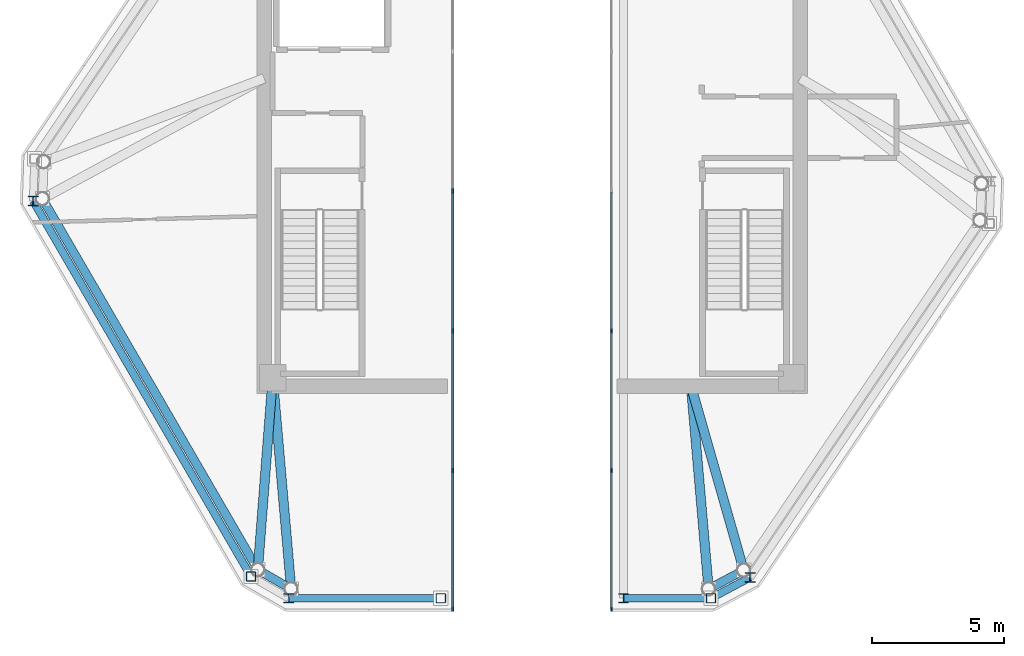
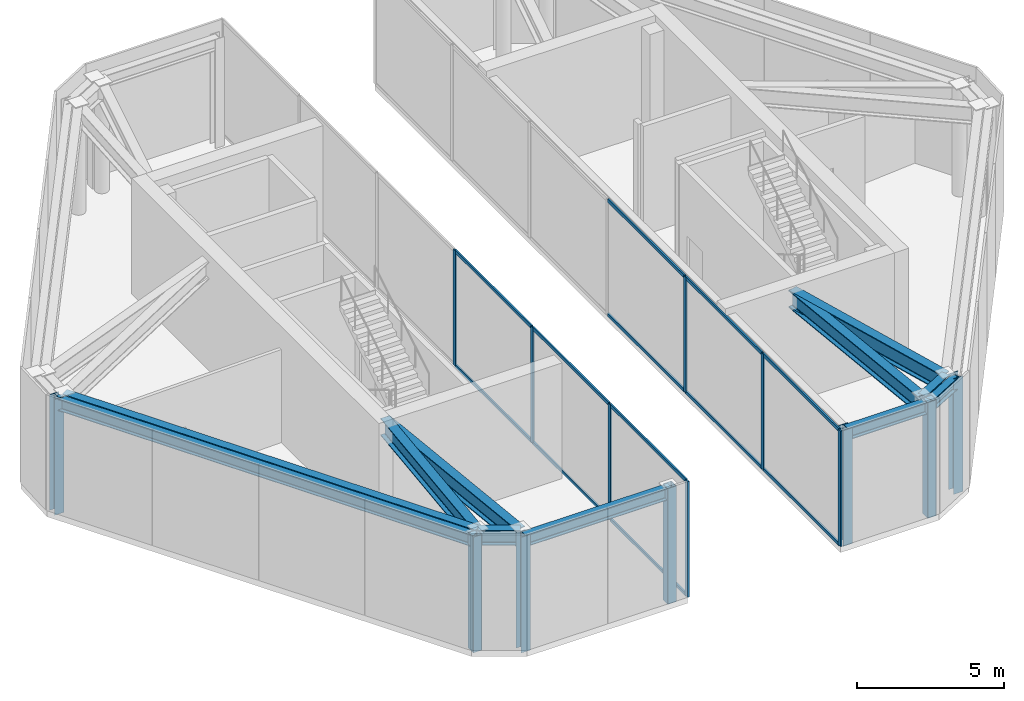
# One storey, part 2 of 8: 26 members, 11 beams, 2 elements without a shape of their own.
"""IFC4 building model written with IfcOpenShell, lengths in metres."""

from ifc_helpers import new_model, si_unit, direction, frame, origin, origin_2d, place, context, subcontext, project, spatial, rectangle, hollow_rectangle, i_section, extrude, source, transform, mapped, material, layer, layer_set, material_profile, profile_set, type_object, type_shapes, element, aggregate, save


model = new_model("IFC4")

# Units and contexts
model_context = context("Model", 3, precision=1e-05, world=origin(), true_north=direction((0.0, 1.0)))
body_context = subcontext(model_context, "Body", "Model", "MODEL_VIEW")
ifc_project = project(units=[si_unit("LENGTHUNIT", "METRE"), si_unit("AREAUNIT", "SQUARE_METRE"), si_unit("VOLUMEUNIT", "CUBIC_METRE"), si_unit("PLANEANGLEUNIT", "RADIAN"), si_unit("MASSUNIT", "GRAM", prefix="KILO")], contexts=[model_context])

# Site, building, storey
site_placement = place(None, origin())
site = spatial("IfcSite", under=ifc_project, at=site_placement, CompositionType="ELEMENT")
building_placement = place(site_placement, origin())
building = spatial("IfcBuilding", under=site, at=building_placement, Name="Durnholm Broadcast Tower", CompositionType="ELEMENT")
storey_placement = place(building_placement, frame((0.0, 0.0, 277.300048828125)))
storey = spatial("IfcBuildingStorey", under=building, at=storey_placement, Name="L77", CompositionType="ELEMENT", Elevation=277.300048828125)

# Beams
ifc_material_1 = material(Name="Steel ASTM A992 Grade 50", Category="steel")
ifc_material_profile_1 = material_profile(ifc_material_1, i_section(OverallWidth=0.3251953125, OverallDepth=0.6162109375, WebThickness=0.013916015625, FlangeThickness=0.021484375, FilletRadius=0.02783203125, at=origin_2d()), Name="W24X117")
ifc_profile_set_1 = profile_set([ifc_material_profile_1], Name="Steel ASTM A992 Grade 50")
beam_type_1 = type_object("IfcBeamType", Name="STL-SP-W24X117", PredefinedType="SPANDREL", material=ifc_profile_set_1)
shared_shape_1 = source(origin(), body_context, "Body", "SweptSolid", [
    extrude(i_section(OverallWidth=0.3251953125, OverallDepth=0.6162109375, WebThickness=0.013916015625, FlangeThickness=0.021484375, FilletRadius=0.02783203125, at=origin_2d()), origin(), (0.0, 0.0, 1.0), 16.202880859375),
])
beam_1_placement = place(storey_placement, frame((-10.361328125, -15.061767578125, 4.19677734375), z_axis=(-0.501948303381, 0.864897624423, 0.0), x_axis=(-0.864897624423, -0.501948303381, 0.0)))
element("IfcBeam", 1, at=beam_1_placement, inside=storey, type_object=beam_type_1, Name="L77 perimeter spandrel girder 01", PredefinedType="SPANDREL", context=body_context, shape_type="MappedRepresentation", body=[
    mapped(shared_shape_1, transform((0.0, 0.0, 0.0), x_axis=(1.0, 0.0, 0.0), y_axis=(0.0, 1.0, 0.0), z_axis=(0.0, 0.0, 1.0), scale=1.0)),
])
shared_shape_2 = source(origin(), body_context, "Body", "SweptSolid", [
    extrude(i_section(OverallWidth=0.3251953125, OverallDepth=0.6162109375, WebThickness=0.013916015625, FlangeThickness=0.021484375, FilletRadius=0.02783203125, at=origin_2d()), origin(), (0.0, 0.0, 1.0), 1.502685546875),
])
beam_2_placement = place(storey_placement, frame((7.990966796875, -15.081298828125, 4.19677734375), z_axis=(-0.883241909673, -0.468917614296, 0.0), x_axis=(0.468917614296, -0.883241909673, 0.0)))
element("IfcBeam", 2, at=beam_2_placement, inside=storey, type_object=beam_type_1, Name="L77 perimeter spandrel girder 10", PredefinedType="SPANDREL", context=body_context, shape_type="MappedRepresentation", body=[
    mapped(shared_shape_2, transform((0.0, 0.0, 0.0), x_axis=(1.0, 0.0, 0.0), y_axis=(0.0, 1.0, 0.0), z_axis=(0.0, 0.0, 1.0), scale=1.0)),
])
shared_shape_3 = source(origin(), body_context, "Body", "SweptSolid", [
    extrude(i_section(OverallWidth=0.3251953125, OverallDepth=0.6162109375, WebThickness=0.013916015625, FlangeThickness=0.021484375, FilletRadius=0.02783203125, at=origin_2d()), origin(), (0.0, 0.0, 1.0), 1.451171875),
])
type_shapes(beam_type_1, [shared_shape_1, shared_shape_2, shared_shape_3])
beam_3_placement = place(storey_placement, frame((-9.103759765625, -15.785888671875, 4.19677734375), z_axis=(-0.866602615509, 0.498998904601, 0.0), x_axis=(-0.498998904601, -0.866602615509, 0.0)))
element("IfcBeam", 3, at=beam_3_placement, inside=storey, type_object=beam_type_1, Name="L77 perimeter spandrel girder 12", PredefinedType="SPANDREL", context=body_context, shape_type="MappedRepresentation", body=[
    mapped(shared_shape_3, transform((0.0, 0.0, 0.0), x_axis=(1.0, 0.0, 0.0), y_axis=(0.0, 1.0, 0.0), z_axis=(0.0, 0.0, 1.0), scale=1.0)),
])
ifc_material_profile_2 = material_profile(ifc_material_1, i_section(OverallWidth=0.3564453125, OverallDepth=0.713623046875, WebThickness=0.01904296875, FlangeThickness=0.033935546875, FilletRadius=0.030517578125, at=origin_2d()), Name="W27X194")
ifc_profile_set_2 = profile_set([ifc_material_profile_2], Name="Steel ASTM A992 Grade 50")
beam_type_2 = type_object("IfcBeamType", Name="STL-GR-W27X194", PredefinedType="USERDEFINED", material=ifc_profile_set_2)
shared_shape_4 = source(origin(), body_context, "Body", "SweptSolid", [
    extrude(i_section(OverallWidth=0.3564453125, OverallDepth=0.713623046875, WebThickness=0.01904296875, FlangeThickness=0.033935546875, FilletRadius=0.030517578125, at=origin_2d()), origin(), (0.0, 0.0, 1.0), 7.283447265625),
])
beam_4_placement = place(storey_placement, frame((-9.800048828125, -7.800048828125, 4.14794921875), z_axis=(-0.07706304746, -0.997026221679, 0.0), x_axis=(0.997026221679, -0.07706304746, 0.0)))
element("IfcBeam", 4, at=beam_4_placement, inside=storey, type_object=beam_type_2, Name="L77 radial primary floor girder 01", ObjectType="GIRDER", PredefinedType="USERDEFINED", context=body_context, shape_type="MappedRepresentation", body=[
    mapped(shared_shape_4, transform((0.0, 0.0, 0.0), x_axis=(1.0, 0.0, 0.0), y_axis=(0.0, 1.0, 0.0), z_axis=(0.0, 0.0, 1.0), scale=1.0)),
])
shared_shape_5 = source(origin(), body_context, "Body", "SweptSolid", [
    extrude(i_section(OverallWidth=0.3564453125, OverallDepth=0.713623046875, WebThickness=0.01904296875, FlangeThickness=0.033935546875, FilletRadius=0.030517578125, at=origin_2d()), origin(), (0.0, 0.0, 1.0), 7.235595703125),
])
beam_5_placement = place(storey_placement, frame((6.0, -8.125, 4.14794921875), z_axis=(0.275162285573, -0.961397793111, 0.0), x_axis=(0.961397793111, 0.275162285573, 0.0)))
element("IfcBeam", 5, at=beam_5_placement, inside=storey, type_object=beam_type_2, Name="L77 radial primary floor girder 10", ObjectType="GIRDER", PredefinedType="USERDEFINED", context=body_context, shape_type="MappedRepresentation", body=[
    mapped(shared_shape_5, transform((0.0, 0.0, 0.0), x_axis=(1.0, 0.0, 0.0), y_axis=(0.0, 1.0, 0.0), z_axis=(0.0, 0.0, 1.0), scale=1.0)),
])
shared_shape_6 = source(origin(), body_context, "Body", "SweptSolid", [
    extrude(i_section(OverallWidth=0.3564453125, OverallDepth=0.713623046875, WebThickness=0.01904296875, FlangeThickness=0.033935546875, FilletRadius=0.030517578125, at=origin_2d()), origin(), (0.0, 0.0, 1.0), 7.689697265625),
])
beam_6_placement = place(storey_placement, frame((6.0, -8.125, 4.14794921875), z_axis=(0.086326830756, -0.99626687102, 0.0), x_axis=(0.99626687102, 0.086326830756, 0.0)))
element("IfcBeam", 6, at=beam_6_placement, inside=storey, type_object=beam_type_2, Name="L77 radial primary floor girder 11", ObjectType="GIRDER", PredefinedType="USERDEFINED", context=body_context, shape_type="MappedRepresentation", body=[
    mapped(shared_shape_6, transform((0.0, 0.0, 0.0), x_axis=(1.0, 0.0, 0.0), y_axis=(0.0, 1.0, 0.0), z_axis=(0.0, 0.0, 1.0), scale=1.0)),
])
shared_shape_7 = source(origin(), body_context, "Body", "SweptSolid", [
    extrude(i_section(OverallWidth=0.3564453125, OverallDepth=0.713623046875, WebThickness=0.01904296875, FlangeThickness=0.033935546875, FilletRadius=0.030517578125, at=origin_2d()), origin(), (0.0, 0.0, 1.0), 8.01611328125),
])
type_shapes(beam_type_2, [shared_shape_4, shared_shape_5, shared_shape_6, shared_shape_7])
beam_7_placement = place(storey_placement, frame((-9.800048828125, -7.800048828125, 4.14794921875), z_axis=(0.086860920724, -0.996220447718, 0.0), x_axis=(0.996220447718, 0.086860920724, 0.0)))
element("IfcBeam", 7, at=beam_7_placement, inside=storey, type_object=beam_type_2, Name="L77 radial primary floor girder 12", ObjectType="GIRDER", PredefinedType="USERDEFINED", context=body_context, shape_type="MappedRepresentation", body=[
    mapped(shared_shape_7, transform((0.0, 0.0, 0.0), x_axis=(1.0, 0.0, 0.0), y_axis=(0.0, 1.0, 0.0), z_axis=(0.0, 0.0, 1.0), scale=1.0)),
])
ifc_material_profile_3 = material_profile(ifc_material_1, i_section(OverallWidth=0.2861328125, OverallDepth=0.481689453125, WebThickness=0.0166015625, FlangeThickness=0.02685546875, FilletRadius=0.02294921875, at=origin_2d()), Name="W18X119")
ifc_profile_set_3 = profile_set([ifc_material_profile_3], Name="Steel ASTM A992 Grade 50")
beam_type_3 = type_object("IfcBeamType", Name="STL-BM-W18X119", PredefinedType="BEAM", material=ifc_profile_set_3)
shared_shape_8 = source(origin(), body_context, "Body", "SweptSolid", [
    extrude(i_section(OverallWidth=0.2861328125, OverallDepth=0.481689453125, WebThickness=0.0166015625, FlangeThickness=0.02685546875, FilletRadius=0.02294921875, at=origin_2d()), origin(), (0.0, 0.0, 1.0), 5.747314453125),
])
beam_8_placement = place(storey_placement, frame((-9.197265625, -16.135986328125, 4.26416015625), z_axis=(1.0, 0.0, 0.0), x_axis=(0.0, 1.0, 0.0)))
element("IfcBeam", 8, at=beam_8_placement, inside=storey, type_object=beam_type_3, Name="L77 W split-crown frame ring beam 2", PredefinedType="SPANDREL", context=body_context, shape_type="MappedRepresentation", body=[
    mapped(shared_shape_8, transform((0.0, 0.0, 0.0), x_axis=(1.0, 0.0, 0.0), y_axis=(0.0, 1.0, 0.0), z_axis=(0.0, 0.0, 1.0), scale=1.0)),
])
shared_shape_9 = source(origin(), body_context, "Body", "SweptSolid", [
    extrude(i_section(OverallWidth=0.2861328125, OverallDepth=0.481689453125, WebThickness=0.0166015625, FlangeThickness=0.02685546875, FilletRadius=0.02294921875, at=origin_2d()), origin(), (0.0, 0.0, 1.0), 16.39697265625),
])
beam_9_placement = place(storey_placement, frame((-18.847412109375, -1.136474609375, 4.26416015625), z_axis=(0.501933993848, -0.864905928885, 0.0), x_axis=(0.864905928885, 0.501933993848, 0.0)))
element("IfcBeam", 9, at=beam_9_placement, inside=storey, type_object=beam_type_3, Name="L77 W split-crown frame ring beam 8", PredefinedType="SPANDREL", context=body_context, shape_type="MappedRepresentation", body=[
    mapped(shared_shape_9, transform((0.0, 0.0, 0.0), x_axis=(1.0, 0.0, 0.0), y_axis=(0.0, 1.0, 0.0), z_axis=(0.0, 0.0, 1.0), scale=1.0)),
])
shared_shape_10 = source(origin(), body_context, "Body", "SweptSolid", [
    extrude(i_section(OverallWidth=0.2861328125, OverallDepth=0.481689453125, WebThickness=0.0166015625, FlangeThickness=0.02685546875, FilletRadius=0.02294921875, at=origin_2d()), origin(), (0.0, 0.0, 1.0), 3.301025390625),
])
beam_10_placement = place(storey_placement, frame((3.449951171875, -16.135986328125, 4.26416015625), z_axis=(1.0, 0.0, 0.0), x_axis=(0.0, 1.0, 0.0)))
element("IfcBeam", 10, at=beam_10_placement, inside=storey, type_object=beam_type_3, Name="L77 E split-crown frame ring beam 2", PredefinedType="SPANDREL", context=body_context, shape_type="MappedRepresentation", body=[
    mapped(shared_shape_10, transform((0.0, 0.0, 0.0), x_axis=(1.0, 0.0, 0.0), y_axis=(0.0, 1.0, 0.0), z_axis=(0.0, 0.0, 1.0), scale=1.0)),
])
shared_shape_11 = source(origin(), body_context, "Body", "SweptSolid", [
    extrude(i_section(OverallWidth=0.2861328125, OverallDepth=0.481689453125, WebThickness=0.0166015625, FlangeThickness=0.02685546875, FilletRadius=0.02294921875, at=origin_2d()), origin(), (0.0, 0.0, 1.0), 1.6767578125),
])
type_shapes(beam_type_3, [shared_shape_8, shared_shape_9, shared_shape_10, shared_shape_11])
beam_11_placement = place(storey_placement, frame((6.7509765625, -16.135986328125, 4.26416015625), z_axis=(0.883209959098, 0.468977790678, 0.0), x_axis=(-0.468977790678, 0.883209959098, 0.0)))
element("IfcBeam", 11, at=beam_11_placement, inside=storey, type_object=beam_type_3, Name="L77 E split-crown frame ring beam 3", PredefinedType="SPANDREL", context=body_context, shape_type="MappedRepresentation", body=[
    mapped(shared_shape_11, transform((0.0, 0.0, 0.0), x_axis=(1.0, 0.0, 0.0), y_axis=(0.0, 1.0, 0.0), z_axis=(0.0, 0.0, 1.0), scale=1.0)),
])

# Members
ifc_material_2 = material(Name="Steel ASTM A500 Grade C", Category="steel")
ifc_material_profile_4 = material_profile(ifc_material_2, hollow_rectangle(XDim=0.355712890625, YDim=0.355712890625, WallThickness=0.01171875, InnerFilletRadius=0.017578125, OuterFilletRadius=0.029541015625, at=origin_2d()), Name="HSS14X14X1/2")
ifc_profile_set_4 = profile_set([ifc_material_profile_4], Name="Steel ASTM A500 Grade C")
member_type_1 = type_object("IfcMemberType", Name="STL-CF-HSS14X14", PredefinedType="USERDEFINED", material=ifc_profile_set_4)
shared_shape_12 = source(origin(), body_context, "Body", "SweptSolid", [
    extrude(hollow_rectangle(XDim=0.355712890625, YDim=0.355712890625, WallThickness=0.01171875, InnerFilletRadius=0.017578125, OuterFilletRadius=0.029541015625, at=origin_2d()), origin(), (0.0, 0.0, 1.0), 4.800048828125),
])
type_shapes(member_type_1, [shared_shape_12])
for number, where, z_axis, x_axis, name in (
    (12, (-10.6171875, -15.318359375, -0.280029296875), (0.0, 0.0, 1.0), (1.0, 0.0, 0.0), "L77 W split-crown frame post 1"),
    (13, (-3.449951171875, -16.135986328125, -0.280029296875), (0.0, 0.0, 1.0), (1.0, 0.0, 0.0), "L77 W split-crown frame post 3"),
    (14, (6.7509765625, -16.135986328125, -0.280029296875), (0.0, 0.0, 1.0), (1.0, 0.0, 0.0), "L77 E split-crown frame post 3"),
):
    element("IfcMember", number, at=place(storey_placement, frame(where, z_axis=z_axis, x_axis=x_axis)), inside=storey, type_object=member_type_1, Name=name, ObjectType="CROWN FRAME", PredefinedType="USERDEFINED", context=body_context, shape_type="MappedRepresentation", body=[
        mapped(shared_shape_12, transform((0.0, 0.0, 0.0), x_axis=(1.0, 0.0, 0.0), y_axis=(0.0, 1.0, 0.0), z_axis=(0.0, 0.0, 1.0), scale=1.0)),
    ])
ifc_material_profile_5 = material_profile(ifc_material_1, i_section(OverallWidth=0.368896484375, OverallDepth=0.356201171875, WebThickness=0.01123046875, FlangeThickness=0.01806640625, FilletRadius=0.030517578125, at=origin_2d()), Name="W14X90")
ifc_profile_set_5 = profile_set([ifc_material_profile_5], Name="Steel ASTM A992 Grade 50")
member_type_2 = type_object("IfcMemberType", Name="STL-CF-W14X90", PredefinedType="USERDEFINED", material=ifc_profile_set_5)
shared_shape_13 = source(origin(), body_context, "Body", "SweptSolid", [
    extrude(i_section(OverallWidth=0.368896484375, OverallDepth=0.356201171875, WebThickness=0.01123046875, FlangeThickness=0.01806640625, FilletRadius=0.030517578125, at=origin_2d()), origin(), (0.0, 0.0, 1.0), 4.800048828125),
])
type_shapes(member_type_2, [shared_shape_13])
for number, where, z_axis, x_axis, name in (
    (15, (-9.197265625, -16.135986328125, -0.280029296875), (0.0, 0.0, 1.0), (1.0, 0.0, 0.0), "L77 W split-crown frame post 2"),
    (16, (-18.847412109375, -1.136474609375, -0.280029296875), (0.0, 0.0, 1.0), (1.0, 0.0, 0.0), "L77 W split-crown frame post 8"),
    (17, (3.449951171875, -16.135986328125, -0.280029296875), (0.0, 0.0, 1.0), (1.0, 0.0, 0.0), "L77 E split-crown frame post 2"),
    (18, (8.23193359375, -15.349609375, -0.280029296875), (0.0, 0.0, 1.0), (1.0, 0.0, 0.0), "L77 E split-crown frame post 4"),
):
    element("IfcMember", number, at=place(storey_placement, frame(where, z_axis=z_axis, x_axis=x_axis)), inside=storey, type_object=member_type_2, Name=name, ObjectType="CROWN FRAME", PredefinedType="USERDEFINED", context=body_context, shape_type="MappedRepresentation", body=[
        mapped(shared_shape_13, transform((0.0, 0.0, 0.0), x_axis=(1.0, 0.0, 0.0), y_axis=(0.0, 1.0, 0.0), z_axis=(0.0, 0.0, 1.0), scale=1.0)),
    ])

# Curtain wall, members
ifc_material_3 = material(Name="Aluminium and Solar Control IGU", Category="aluminium")
ifc_layer = layer(ifc_material_3, 0.1650390625)
ifc_layer_set = layer_set([ifc_layer], Name="Aluminium and Solar Control IGU")
curtain_wall_type = type_object("IfcCurtainWallType", Name="CW-SYS-7", PredefinedType="NOTDEFINED", material=ifc_layer_set)
curtain_wall_1_placement = place(storey_placement, origin())
curtain_wall_1 = element("IfcCurtainWall", 19, at=curtain_wall_1_placement, inside=storey, type_object=curtain_wall_type, Name="L77 curtain wall CW-CROWN CW-L77-W-5", PredefinedType="NOTDEFINED")
ifc_material_4 = material(Name="Aluminium 6063-T6", Category="aluminium")
ifc_material_profile_6 = material_profile(ifc_material_4, rectangle(XDim=0.06494140625, YDim=0.1650390625, at=origin_2d()), Name="CWM65X165")
ifc_profile_set_6 = profile_set([ifc_material_profile_6], Name="Aluminium 6063-T6")
member_type_3 = type_object("IfcMemberType", Name="CW-SYS-7-MUL", PredefinedType="MULLION", material=ifc_profile_set_6)
shared_shape_14 = source(origin(), body_context, "Body", "SweptSolid", [
    extrude(rectangle(XDim=0.06494140625, YDim=0.1650390625, at=origin_2d()), origin(), (0.0, 0.0, 1.0), 4.800048828125),
])
type_shapes(member_type_3, [shared_shape_14])
member_1_placement = place(storey_placement, frame((-3.0, -0.761962890625, 0.0), z_axis=(0.0, 0.0, 1.0), x_axis=(1.0, 0.0, 0.0)))
member_1 = element("IfcMember", 20, at=member_1_placement, type_object=member_type_3, Name="CW-CROWN mullion 4", PredefinedType="MULLION", context=body_context, shape_type="MappedRepresentation", body=[
    mapped(shared_shape_14, transform((0.0, 0.0, 0.0), x_axis=(1.0, 0.0, 0.0), y_axis=(0.0, 1.0, 0.0), z_axis=(0.0, 0.0, 1.0), scale=1.0)),
])
member_2_placement = place(storey_placement, frame((-3.0, -6.03662109375, 0.0), z_axis=(0.0, 0.0, 1.0), x_axis=(1.0, 0.0, 0.0)))
member_2 = element("IfcMember", 21, at=member_2_placement, type_object=member_type_3, Name="CW-CROWN mullion 5", PredefinedType="MULLION", context=body_context, shape_type="MappedRepresentation", body=[
    mapped(shared_shape_14, transform((0.0, 0.0, 0.0), x_axis=(1.0, 0.0, 0.0), y_axis=(0.0, 1.0, 0.0), z_axis=(0.0, 0.0, 1.0), scale=1.0)),
])
member_3_placement = place(storey_placement, frame((-3.0, -11.311279296875, 0.0), z_axis=(0.0, 0.0, 1.0), x_axis=(1.0, 0.0, 0.0)))
member_3 = element("IfcMember", 22, at=member_3_placement, type_object=member_type_3, Name="CW-CROWN mullion 6", PredefinedType="MULLION", context=body_context, shape_type="MappedRepresentation", body=[
    mapped(shared_shape_14, transform((0.0, 0.0, 0.0), x_axis=(1.0, 0.0, 0.0), y_axis=(0.0, 1.0, 0.0), z_axis=(0.0, 0.0, 1.0), scale=1.0)),
])
member_4_placement = place(storey_placement, frame((-3.0, -16.553466796875, 0.0), z_axis=(0.0, 0.0, 1.0), x_axis=(1.0, 0.0, 0.0)))
member_4 = element("IfcMember", 23, at=member_4_placement, type_object=member_type_3, Name="CW-CROWN mullion 7", PredefinedType="MULLION", context=body_context, shape_type="MappedRepresentation", body=[
    mapped(shared_shape_14, transform((0.0, 0.0, 0.0), x_axis=(1.0, 0.0, 0.0), y_axis=(0.0, 1.0, 0.0), z_axis=(0.0, 0.0, 1.0), scale=1.0)),
])

curtain_wall_2_placement = place(storey_placement, origin())
curtain_wall_2 = element("IfcCurtainWall", 24, at=curtain_wall_2_placement, inside=storey, type_object=curtain_wall_type, Name="L77 curtain wall CW-CROWN CW-L77-E-7", PredefinedType="NOTDEFINED")
member_5_placement = place(storey_placement, frame((3.0, -16.553466796875, 0.0), z_axis=(0.0, 0.0, 1.0), x_axis=(-1.0, 0.0, 0.0)))
member_5 = element("IfcMember", 25, at=member_5_placement, type_object=member_type_3, Name="CW-CROWN mullion 1", PredefinedType="MULLION", context=body_context, shape_type="MappedRepresentation", body=[
    mapped(shared_shape_14, transform((0.0, 0.0, 0.0), x_axis=(1.0, 0.0, 0.0), y_axis=(0.0, 1.0, 0.0), z_axis=(0.0, 0.0, 1.0), scale=1.0)),
])
member_6_placement = place(storey_placement, frame((3.0, -11.311279296875, 0.0), z_axis=(0.0, 0.0, 1.0), x_axis=(-1.0, 0.0, 0.0)))
member_6 = element("IfcMember", 26, at=member_6_placement, type_object=member_type_3, Name="CW-CROWN mullion 2", PredefinedType="MULLION", context=body_context, shape_type="MappedRepresentation", body=[
    mapped(shared_shape_14, transform((0.0, 0.0, 0.0), x_axis=(1.0, 0.0, 0.0), y_axis=(0.0, 1.0, 0.0), z_axis=(0.0, 0.0, 1.0), scale=1.0)),
])
member_7_placement = place(storey_placement, frame((3.0, -6.03662109375, 0.0), z_axis=(0.0, 0.0, 1.0), x_axis=(-1.0, 0.0, 0.0)))
member_7 = element("IfcMember", 27, at=member_7_placement, type_object=member_type_3, Name="CW-CROWN mullion 3", PredefinedType="MULLION", context=body_context, shape_type="MappedRepresentation", body=[
    mapped(shared_shape_14, transform((0.0, 0.0, 0.0), x_axis=(1.0, 0.0, 0.0), y_axis=(0.0, 1.0, 0.0), z_axis=(0.0, 0.0, 1.0), scale=1.0)),
])

# Member
ifc_material_profile_7 = material_profile(ifc_material_4, rectangle(XDim=0.06494140625, YDim=0.1298828125, at=origin_2d()), Name="CWT65X130")
ifc_profile_set_7 = profile_set([ifc_material_profile_7], Name="Aluminium 6063-T6")
member_type_4 = type_object("IfcMemberType", Name="CW-SYS-7-TRN", PredefinedType="USERDEFINED", material=ifc_profile_set_7)
shared_shape_15 = source(origin(), body_context, "Body", "SweptSolid", [
    extrude(rectangle(XDim=0.06494140625, YDim=0.1298828125, at=origin_2d()), origin(), (0.0, 0.0, 1.0), 5.17724609375),
])
member_8_placement = place(storey_placement, frame((-3.0, -11.34375, 0.032470703125), z_axis=(0.0, -1.0, 0.0), x_axis=(1.0, 0.0, 0.0)))
member_8 = element("IfcMember", 28, at=member_8_placement, type_object=member_type_4, Name="CW-CROWN transom 6.1", ObjectType="TRANSOM", PredefinedType="USERDEFINED", context=body_context, shape_type="MappedRepresentation", body=[
    mapped(shared_shape_15, transform((0.0, 0.0, 0.0), x_axis=(1.0, 0.0, 0.0), y_axis=(0.0, 1.0, 0.0), z_axis=(0.0, 0.0, 1.0), scale=1.0)),
])

member_9_placement = place(storey_placement, frame((-3.0, -11.34375, 4.767333984375), z_axis=(0.0, -1.0, 0.0), x_axis=(1.0, 0.0, 0.0)))
member_9 = element("IfcMember", 29, at=member_9_placement, type_object=member_type_4, Name="CW-CROWN transom 6.2", ObjectType="TRANSOM", PredefinedType="USERDEFINED", context=body_context, shape_type="MappedRepresentation", body=[
    mapped(shared_shape_15, transform((0.0, 0.0, 0.0), x_axis=(1.0, 0.0, 0.0), y_axis=(0.0, 1.0, 0.0), z_axis=(0.0, 0.0, 1.0), scale=1.0)),
])

member_10_placement = place(storey_placement, frame((3.0, -16.52099609375, 0.032470703125), z_axis=(0.0, 1.0, 0.0), x_axis=(-1.0, 0.0, 0.0)))
member_10 = element("IfcMember", 30, at=member_10_placement, type_object=member_type_4, Name="CW-CROWN transom 1.1", ObjectType="TRANSOM", PredefinedType="USERDEFINED", context=body_context, shape_type="MappedRepresentation", body=[
    mapped(shared_shape_15, transform((0.0, 0.0, 0.0), x_axis=(1.0, 0.0, 0.0), y_axis=(0.0, 1.0, 0.0), z_axis=(0.0, 0.0, 1.0), scale=1.0)),
])

member_11_placement = place(storey_placement, frame((3.0, -16.52099609375, 4.767333984375), z_axis=(0.0, 1.0, 0.0), x_axis=(-1.0, 0.0, 0.0)))
member_11 = element("IfcMember", 31, at=member_11_placement, type_object=member_type_4, Name="CW-CROWN transom 1.2", ObjectType="TRANSOM", PredefinedType="USERDEFINED", context=body_context, shape_type="MappedRepresentation", body=[
    mapped(shared_shape_15, transform((0.0, 0.0, 0.0), x_axis=(1.0, 0.0, 0.0), y_axis=(0.0, 1.0, 0.0), z_axis=(0.0, 0.0, 1.0), scale=1.0)),
])

shared_shape_16 = source(origin(), body_context, "Body", "SweptSolid", [
    extrude(rectangle(XDim=0.06494140625, YDim=0.1298828125, at=origin_2d()), origin(), (0.0, 0.0, 1.0), 5.209716796875),
])
type_shapes(member_type_4, [shared_shape_15, shared_shape_16])
member_12_placement = place(storey_placement, frame((-3.0, -0.79443359375, 0.032470703125), z_axis=(0.0, -1.0, 0.0), x_axis=(1.0, 0.0, 0.0)))
member_12 = element("IfcMember", 32, at=member_12_placement, type_object=member_type_4, Name="CW-CROWN transom 4.1", ObjectType="TRANSOM", PredefinedType="USERDEFINED", context=body_context, shape_type="MappedRepresentation", body=[
    mapped(shared_shape_16, transform((0.0, 0.0, 0.0), x_axis=(1.0, 0.0, 0.0), y_axis=(0.0, 1.0, 0.0), z_axis=(0.0, 0.0, 1.0), scale=1.0)),
])

member_13_placement = place(storey_placement, frame((-3.0, -0.79443359375, 4.767333984375), z_axis=(0.0, -1.0, 0.0), x_axis=(1.0, 0.0, 0.0)))
member_13 = element("IfcMember", 33, at=member_13_placement, type_object=member_type_4, Name="CW-CROWN transom 4.2", ObjectType="TRANSOM", PredefinedType="USERDEFINED", context=body_context, shape_type="MappedRepresentation", body=[
    mapped(shared_shape_16, transform((0.0, 0.0, 0.0), x_axis=(1.0, 0.0, 0.0), y_axis=(0.0, 1.0, 0.0), z_axis=(0.0, 0.0, 1.0), scale=1.0)),
])

member_14_placement = place(storey_placement, frame((-3.0, -6.069091796875, 0.032470703125), z_axis=(0.0, -1.0, 0.0), x_axis=(1.0, 0.0, 0.0)))
member_14 = element("IfcMember", 34, at=member_14_placement, type_object=member_type_4, Name="CW-CROWN transom 5.1", ObjectType="TRANSOM", PredefinedType="USERDEFINED", context=body_context, shape_type="MappedRepresentation", body=[
    mapped(shared_shape_16, transform((0.0, 0.0, 0.0), x_axis=(1.0, 0.0, 0.0), y_axis=(0.0, 1.0, 0.0), z_axis=(0.0, 0.0, 1.0), scale=1.0)),
])

member_15_placement = place(storey_placement, frame((-3.0, -6.069091796875, 4.767333984375), z_axis=(0.0, -1.0, 0.0), x_axis=(1.0, 0.0, 0.0)))
member_15 = element("IfcMember", 35, at=member_15_placement, type_object=member_type_4, Name="CW-CROWN transom 5.2", ObjectType="TRANSOM", PredefinedType="USERDEFINED", context=body_context, shape_type="MappedRepresentation", body=[
    mapped(shared_shape_16, transform((0.0, 0.0, 0.0), x_axis=(1.0, 0.0, 0.0), y_axis=(0.0, 1.0, 0.0), z_axis=(0.0, 0.0, 1.0), scale=1.0)),
])

aggregate(curtain_wall_1, [member_1, member_2, member_3, member_4, member_12, member_13, member_14, member_15, member_8, member_9])

member_16_placement = place(storey_placement, frame((3.0, -11.27880859375, 0.032470703125), z_axis=(0.0, 1.0, 0.0), x_axis=(-1.0, 0.0, 0.0)))
member_16 = element("IfcMember", 36, at=member_16_placement, type_object=member_type_4, Name="CW-CROWN transom 2.1", ObjectType="TRANSOM", PredefinedType="USERDEFINED", context=body_context, shape_type="MappedRepresentation", body=[
    mapped(shared_shape_16, transform((0.0, 0.0, 0.0), x_axis=(1.0, 0.0, 0.0), y_axis=(0.0, 1.0, 0.0), z_axis=(0.0, 0.0, 1.0), scale=1.0)),
])

member_17_placement = place(storey_placement, frame((3.0, -11.27880859375, 4.767333984375), z_axis=(0.0, 1.0, 0.0), x_axis=(-1.0, 0.0, 0.0)))
member_17 = element("IfcMember", 37, at=member_17_placement, type_object=member_type_4, Name="CW-CROWN transom 2.2", ObjectType="TRANSOM", PredefinedType="USERDEFINED", context=body_context, shape_type="MappedRepresentation", body=[
    mapped(shared_shape_16, transform((0.0, 0.0, 0.0), x_axis=(1.0, 0.0, 0.0), y_axis=(0.0, 1.0, 0.0), z_axis=(0.0, 0.0, 1.0), scale=1.0)),
])

member_18_placement = place(storey_placement, frame((3.0, -6.004150390625, 0.032470703125), z_axis=(0.0, 1.0, 0.0), x_axis=(-1.0, 0.0, 0.0)))
member_18 = element("IfcMember", 38, at=member_18_placement, type_object=member_type_4, Name="CW-CROWN transom 3.1", ObjectType="TRANSOM", PredefinedType="USERDEFINED", context=body_context, shape_type="MappedRepresentation", body=[
    mapped(shared_shape_16, transform((0.0, 0.0, 0.0), x_axis=(1.0, 0.0, 0.0), y_axis=(0.0, 1.0, 0.0), z_axis=(0.0, 0.0, 1.0), scale=1.0)),
])

member_19_placement = place(storey_placement, frame((3.0, -6.004150390625, 4.767333984375), z_axis=(0.0, 1.0, 0.0), x_axis=(-1.0, 0.0, 0.0)))
member_19 = element("IfcMember", 39, at=member_19_placement, type_object=member_type_4, Name="CW-CROWN transom 3.2", ObjectType="TRANSOM", PredefinedType="USERDEFINED", context=body_context, shape_type="MappedRepresentation", body=[
    mapped(shared_shape_16, transform((0.0, 0.0, 0.0), x_axis=(1.0, 0.0, 0.0), y_axis=(0.0, 1.0, 0.0), z_axis=(0.0, 0.0, 1.0), scale=1.0)),
])

aggregate(curtain_wall_2, [member_5, member_6, member_7, member_10, member_11, member_16, member_17, member_18, member_19])

save(model, "model.ifc")
